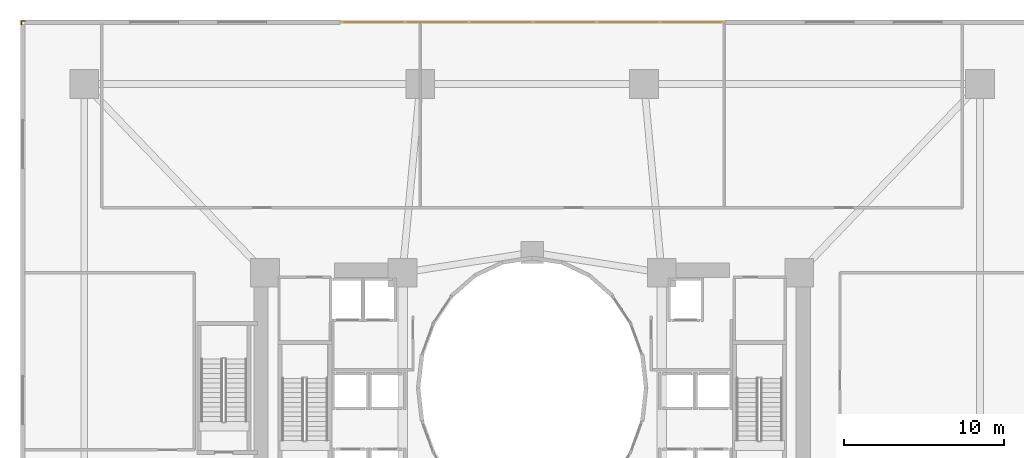
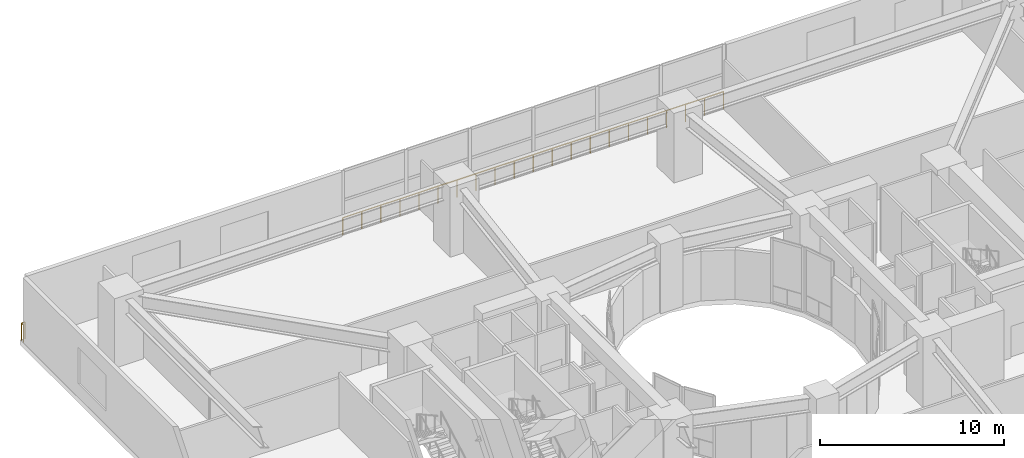
# One storey, part 24 of 25: 2 railings.
"""IFC4 building model written with IfcOpenShell, lengths in metres."""

from ifc_helpers import new_model, si_unit, direction, frame, origin, origin_2d, place, context, subcontext, project, spatial, circle, extrude, material, type_object, element, save


model = new_model("IFC4")

# Units and contexts
model_context = context("Model", 3, precision=1e-05, world=origin(), true_north=direction((0.0, 1.0)))
body_context = subcontext(model_context, "Body", "Model", "MODEL_VIEW")
ifc_project = project(units=[si_unit("LENGTHUNIT", "METRE"), si_unit("AREAUNIT", "SQUARE_METRE"), si_unit("VOLUMEUNIT", "CUBIC_METRE"), si_unit("PLANEANGLEUNIT", "RADIAN"), si_unit("MASSUNIT", "GRAM", prefix="KILO")], contexts=[model_context])

# Site, building, storey
site_placement = place(None, origin())
site = spatial("IfcSite", under=ifc_project, at=site_placement, CompositionType="ELEMENT")
building_placement = place(site_placement, origin())
building = spatial("IfcBuilding", under=site, at=building_placement, Name="Solvane Sanctuary Tower", CompositionType="ELEMENT")
storey_placement = place(building_placement, frame((0.0, 0.0, 13.800048828125)))
storey = spatial("IfcBuildingStorey", under=building, at=storey_placement, Name="L04", CompositionType="ELEMENT", Elevation=13.800048828125)

# Railings
ifc_material = material(Name="Architectural Stainless Steel 316", Category="steel")
railing_type = type_object("IfcRailingType", Name="Railing GR-BALC-1150", PredefinedType="BALUSTRADE", material=ifc_material)
railing_1_placement = place(storey_placement, frame((43.9599609375, 45.85009765625, 0.0)))
element("IfcRailing", 1, at=railing_1_placement, inside=storey, type_object=railing_type, Name="L04 Podium Curtain-Wall Sill Guard N2", PredefinedType="BALUSTRADE", context=body_context, shape_type="SweptSolid", body=[
    extrude(circle(Radius=0.02392578125, at=origin_2d()), frame((0.0, 0.0, 1.1259765625), z_axis=(-1.0, 0.0, 0.0), x_axis=(0.0, -1.0, 0.0)), (0.0, 0.0, 1.0), 23.83984375),
    extrude(circle(Radius=0.02099609375, at=origin_2d()), origin(), (0.0, 0.0, 1.0), 1.101806640625),
    extrude(circle(Radius=0.02099609375, at=origin_2d()), frame((-1.19189453125, 0.0, 0.0)), (0.0, 0.0, 1.0), 1.101806640625),
    extrude(circle(Radius=0.02099609375, at=origin_2d()), frame((-2.384033203125, 0.0, 0.0)), (0.0, 0.0, 1.0), 1.101806640625),
    extrude(circle(Radius=0.02099609375, at=origin_2d()), frame((-3.575927734375, 0.0, 0.0)), (0.0, 0.0, 1.0), 1.101806640625),
    extrude(circle(Radius=0.02099609375, at=origin_2d()), frame((-4.76806640625, 0.0, 0.0)), (0.0, 0.0, 1.0), 1.101806640625),
    extrude(circle(Radius=0.02099609375, at=origin_2d()), frame((-5.9599609375, 0.0, 0.0)), (0.0, 0.0, 1.0), 1.101806640625),
    extrude(circle(Radius=0.02099609375, at=origin_2d()), frame((-7.15185546875, 0.0, 0.0)), (0.0, 0.0, 1.0), 1.101806640625),
    extrude(circle(Radius=0.02099609375, at=origin_2d()), frame((-8.343994140625, 0.0, 0.0)), (0.0, 0.0, 1.0), 1.101806640625),
    extrude(circle(Radius=0.02099609375, at=origin_2d()), frame((-9.535888671875, 0.0, 0.0)), (0.0, 0.0, 1.0), 1.101806640625),
    extrude(circle(Radius=0.02099609375, at=origin_2d()), frame((-10.72802734375, 0.0, 0.0)), (0.0, 0.0, 1.0), 1.101806640625),
    extrude(circle(Radius=0.02099609375, at=origin_2d()), frame((-11.919921875, 0.0, 0.0)), (0.0, 0.0, 1.0), 1.101806640625),
    extrude(circle(Radius=0.02099609375, at=origin_2d()), frame((-13.11181640625, 0.0, 0.0)), (0.0, 0.0, 1.0), 1.101806640625),
    extrude(circle(Radius=0.02099609375, at=origin_2d()), frame((-14.303955078125, 0.0, 0.0)), (0.0, 0.0, 1.0), 1.101806640625),
    extrude(circle(Radius=0.02099609375, at=origin_2d()), frame((-15.495849609375, 0.0, 0.0)), (0.0, 0.0, 1.0), 1.101806640625),
    extrude(circle(Radius=0.02099609375, at=origin_2d()), frame((-16.68798828125, 0.0, 0.0)), (0.0, 0.0, 1.0), 1.101806640625),
    extrude(circle(Radius=0.02099609375, at=origin_2d()), frame((-17.8798828125, 0.0, 0.0)), (0.0, 0.0, 1.0), 1.101806640625),
    extrude(circle(Radius=0.02099609375, at=origin_2d()), frame((-19.07177734375, 0.0, 0.0)), (0.0, 0.0, 1.0), 1.101806640625),
    extrude(circle(Radius=0.02099609375, at=origin_2d()), frame((-20.263916015625, 0.0, 0.0)), (0.0, 0.0, 1.0), 1.101806640625),
    extrude(circle(Radius=0.02099609375, at=origin_2d()), frame((-21.455810546875, 0.0, 0.0)), (0.0, 0.0, 1.0), 1.101806640625),
    extrude(circle(Radius=0.02099609375, at=origin_2d()), frame((-22.64794921875, 0.0, 0.0)), (0.0, 0.0, 1.0), 1.101806640625),
    extrude(circle(Radius=0.02099609375, at=origin_2d()), frame((-23.83984375, 0.0, 0.0)), (0.0, 0.0, 1.0), 1.101806640625),
])
railing_2_placement = place(storey_placement, frame((0.06005859375, 45.719970703125, 0.0)))
element("IfcRailing", 2, at=railing_2_placement, inside=storey, type_object=railing_type, Name="L04 Perimeter Slab Edge Guardrail 02", PredefinedType="BALUSTRADE", context=body_context, shape_type="SweptSolid", body=[
    extrude(circle(Radius=0.02392578125, at=origin_2d()), frame((0.0, 0.0, 1.1259765625), z_axis=(0.0, 1.0, 0.0), x_axis=(-1.0, 0.0, 0.0)), (0.0, 0.0, 1.0), 0.219970703125),
    extrude(circle(Radius=0.02392578125, at=origin_2d()), frame((0.0, 0.219970703125, 1.1259765625), z_axis=(1.0, 0.0, 0.0), x_axis=(0.0, 1.0, 0.0)), (0.0, 0.0, 1.0), 0.219970703125),
    extrude(circle(Radius=0.02099609375, at=origin_2d()), origin(), (0.0, 0.0, 1.0), 1.101806640625),
    extrude(circle(Radius=0.02099609375, at=origin_2d()), frame((0.0, 0.219970703125, 0.0)), (0.0, 0.0, 1.0), 1.101806640625),
    extrude(circle(Radius=0.02099609375, at=origin_2d()), frame((0.219970703125, 0.219970703125, 0.0)), (0.0, 0.0, 1.0), 1.101806640625),
])

save(model, "model.ifc")
